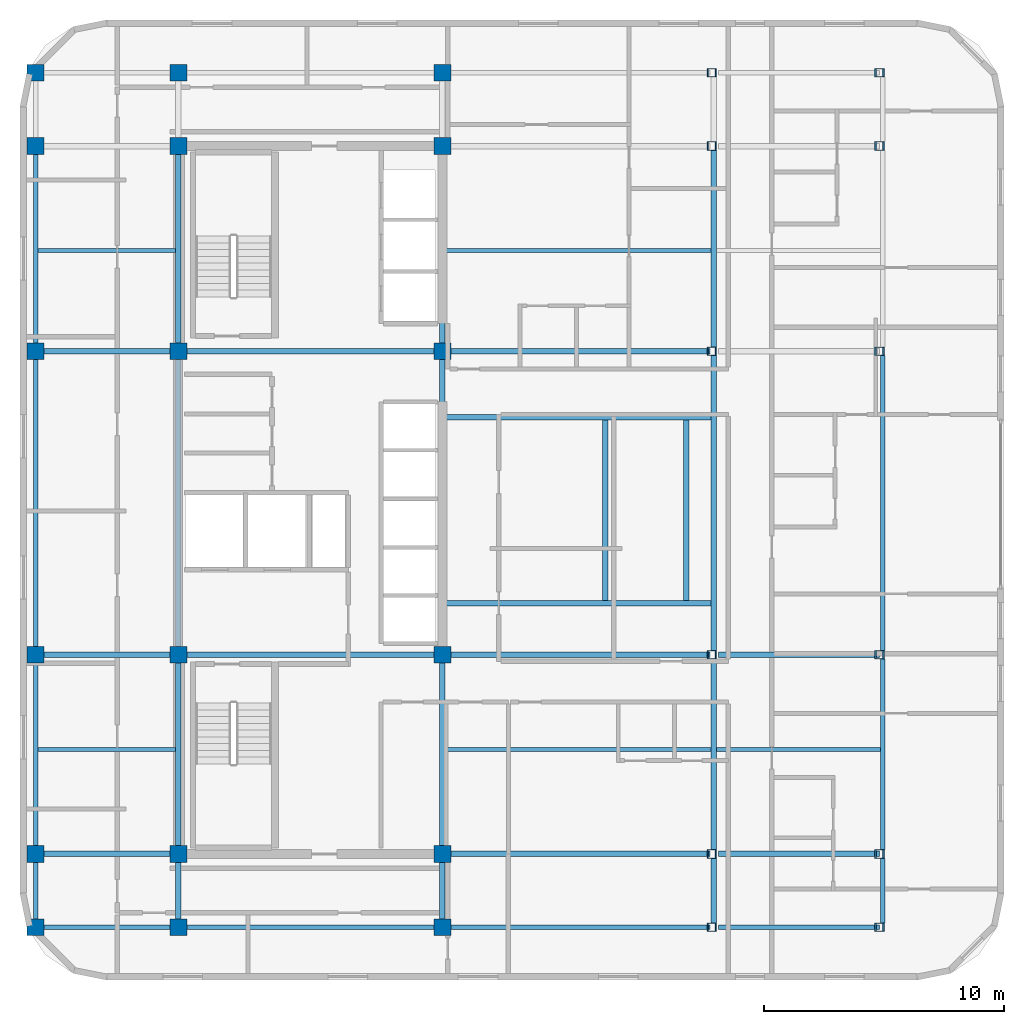
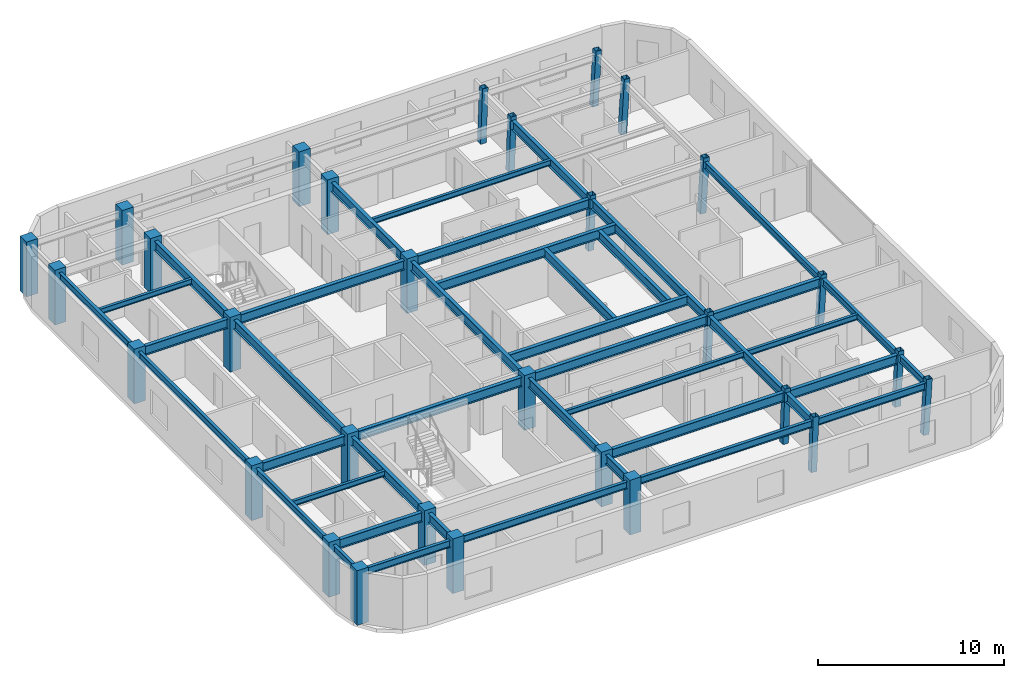
# One storey, part 1 of 9: 42 beams, 30 columns.
"""IFC4 building model written with IfcOpenShell, lengths in metres."""

from ifc_helpers import new_model, si_unit, direction, frame, origin, origin_2d, place, context, subcontext, project, spatial, rectangle, hollow_rectangle, i_section, extrude, material, material_profile, profile_set, type_object, element, save


model = new_model("IFC4")

# Units and contexts
model_context = context("Model", 3, precision=1e-05, world=origin(), true_north=direction((0.0, 1.0)))
body_context = subcontext(model_context, "Body", "Model", "MODEL_VIEW")
ifc_project = project(units=[si_unit("LENGTHUNIT", "METRE"), si_unit("AREAUNIT", "SQUARE_METRE"), si_unit("VOLUMEUNIT", "CUBIC_METRE"), si_unit("PLANEANGLEUNIT", "RADIAN"), si_unit("MASSUNIT", "GRAM", prefix="KILO")], contexts=[model_context])

# Site, building, storey
site_placement = place(None, origin())
site = spatial("IfcSite", under=ifc_project, at=site_placement, CompositionType="ELEMENT")
building_placement = place(site_placement, origin())
building = spatial("IfcBuilding", under=site, at=building_placement, Name="Ochreholt Gables", CompositionType="ELEMENT")
storey_placement = place(building_placement, frame((0.0, 0.0, 184.800048828125)))
storey = spatial("IfcBuildingStorey", under=building, at=storey_placement, Name="L48", CompositionType="ELEMENT", Elevation=184.800048828125)

# Columns
ifc_material_1 = material(Name="Steel CSA G40.21 350W", Category="steel")
ifc_material_profile_1 = material_profile(ifc_material_1, hollow_rectangle(XDim=0.35595703125, YDim=0.35595703125, WallThickness=0.01611328125, at=origin_2d()), Name="HSS356X356X16")
ifc_profile_set_1 = profile_set([ifc_material_profile_1], Name="Steel CSA G40.21 350W")
column_type_1 = type_object("IfcColumnType", Name="COL-HSS356-RAK", PredefinedType="COLUMN", material=ifc_profile_set_1)
for number, where, z_axis, x_axis, name in (
    (1, (46.404052734375, 9.25, 0.0), (0.034973505036, 0.0, 0.999388239847), (0.0, 1.0, 0.0), "L48 Column EMY2"),
    (2, (46.404052734375, 17.550048828125, 0.0), (0.034973505036, 0.0, 0.999388239847), (0.0, 1.0, 0.0), "L48 Column EMY3"),
    (3, (46.404052734375, 30.199951171875, 0.0), (0.034973505036, 0.0, 0.999388239847), (0.0, 1.0, 0.0), "L48 Column EMY4"),
    (4, (46.404052734375, 38.75, 0.0), (0.034973505036, 0.0, 0.999388239847), (0.0, 1.0, 0.0), "L48 Column EMY5"),
):
    element("IfcColumn", number, at=place(storey_placement, frame(where, z_axis=z_axis, x_axis=x_axis)), inside=storey, type_object=column_type_1, Name=name, PredefinedType="COLUMN", context=body_context, shape_type="SweptSolid", body=[
        extrude(hollow_rectangle(XDim=0.35595703125, YDim=0.35595703125, WallThickness=0.01611328125, at=origin_2d()), origin(), (0.0, 0.0, 1.0), 3.60205078125),
    ])
ifc_material_profile_2 = material_profile(ifc_material_1, hollow_rectangle(XDim=0.35595703125, YDim=0.35595703125, WallThickness=0.01611328125, at=origin_2d()), Name="HSS356X356X16")
ifc_profile_set_2 = profile_set([ifc_material_profile_2], Name="Steel CSA G40.21 350W")
column_type_2 = type_object("IfcColumnType", Name="COL-HSS356-RAKE", PredefinedType="COLUMN", material=ifc_profile_set_2)
for number, where, z_axis, x_axis, name in (
    (5, (46.404052734375, 6.199951171875, 0.0), (0.034973505036, 0.0, 0.999388239847), (0.0, 1.0, 0.0), "L48 Column EMY1"),
    (6, (46.404052734375, 41.800048828125, 0.0), (0.034973505036, 0.0, 0.999388239847), (0.0, 1.0, 0.0), "L48 Column EMY6"),
):
    element("IfcColumn", number, at=place(storey_placement, frame(where, z_axis=z_axis, x_axis=x_axis)), inside=storey, type_object=column_type_2, Name=name, PredefinedType="COLUMN", context=body_context, shape_type="SweptSolid", body=[
        extrude(hollow_rectangle(XDim=0.35595703125, YDim=0.35595703125, WallThickness=0.01611328125, at=origin_2d()), origin(), (0.0, 0.0, 1.0), 3.60205078125),
    ])
for number, where, z_axis, x_axis, name in (
    (7, (53.375244140625, 6.199951171875, 0.0), (0.057888518877, 0.0, 0.998323053617), (0.0, 1.0, 0.0), "L48 Column EEY1"),
    (8, (53.375244140625, 9.25, 0.0), (0.057888518877, 0.0, 0.998323053617), (0.0, 1.0, 0.0), "L48 Column EEY2"),
    (9, (53.375244140625, 17.550048828125, 0.0), (0.057888518877, 0.0, 0.998323053617), (0.0, 1.0, 0.0), "L48 Column EEY3"),
    (10, (53.375244140625, 30.199951171875, 0.0), (0.057888518877, 0.0, 0.998323053617), (0.0, 1.0, 0.0), "L48 Column EEY4"),
    (11, (53.375244140625, 38.75, 0.0), (0.057888518877, 0.0, 0.998323053617), (0.0, 1.0, 0.0), "L48 Column EEY5"),
    (12, (53.375244140625, 41.800048828125, 0.0), (0.057888518877, 0.0, 0.998323053617), (0.0, 1.0, 0.0), "L48 Column EEY6"),
):
    element("IfcColumn", number, at=place(storey_placement, frame(where, z_axis=z_axis, x_axis=x_axis)), inside=storey, type_object=column_type_2, Name=name, PredefinedType="COLUMN", context=body_context, shape_type="SweptSolid", body=[
        extrude(hollow_rectangle(XDim=0.35595703125, YDim=0.35595703125, WallThickness=0.01611328125, at=origin_2d()), origin(), (0.0, 0.0, 1.0), 3.60595703125),
    ])
ifc_material_2 = material(Name="Concrete 50 MPa", Category="concrete")
ifc_material_profile_3 = material_profile(ifc_material_2, rectangle(XDim=0.699951171875, YDim=0.699951171875, at=origin_2d()), Name="RC700X700")
ifc_profile_set_3 = profile_set([ifc_material_profile_3], Name="Concrete 50 MPa")
column_type_3 = type_object("IfcColumnType", Name="COL-RC700-EXT", PredefinedType="COLUMN", material=ifc_profile_set_3)
for number, where, z_axis, x_axis, name in (
    (13, (18.25, 6.199951171875, 0.0), (0.0, 0.0, 1.0), (1.0, 0.0, 0.0), "L48 Column W3Y1"),
    (14, (18.25, 9.25, 0.0), (0.0, 0.0, 1.0), (1.0, 0.0, 0.0), "L48 Column W3Y2"),
    (15, (18.25, 17.550048828125, 0.0), (0.0, 0.0, 1.0), (1.0, 0.0, 0.0), "L48 Column W3Y3"),
    (16, (18.25, 30.199951171875, 0.0), (0.0, 0.0, 1.0), (1.0, 0.0, 0.0), "L48 Column W3Y4"),
    (17, (18.25, 38.75, 0.0), (0.0, 0.0, 1.0), (1.0, 0.0, 0.0), "L48 Column W3Y5"),
    (18, (18.25, 41.800048828125, 0.0), (0.0, 0.0, 1.0), (1.0, 0.0, 0.0), "L48 Column W3Y6"),
    (19, (24.199951171875, 6.199951171875, 0.0), (0.0, 0.0, 1.0), (1.0, 0.0, 0.0), "L48 Column C1Y1"),
    (20, (24.199951171875, 41.800048828125, 0.0), (0.0, 0.0, 1.0), (1.0, 0.0, 0.0), "L48 Column C1Y6"),
    (21, (35.199951171875, 6.199951171875, 0.0), (0.0, 0.0, 1.0), (1.0, 0.0, 0.0), "L48 Column C2Y1"),
    (22, (35.199951171875, 41.800048828125, 0.0), (0.0, 0.0, 1.0), (1.0, 0.0, 0.0), "L48 Column C2Y6"),
):
    element("IfcColumn", number, at=place(storey_placement, frame(where, z_axis=z_axis, x_axis=x_axis)), inside=storey, type_object=column_type_3, Name=name, PredefinedType="COLUMN", context=body_context, shape_type="SweptSolid", body=[
        extrude(rectangle(XDim=0.699951171875, YDim=0.699951171875, at=origin_2d()), origin(), (0.0, 0.0, 1.0), 3.599853515625),
    ])
ifc_material_profile_4 = material_profile(ifc_material_2, rectangle(XDim=0.699951171875, YDim=0.699951171875, at=origin_2d()), Name="RC700X700")
ifc_profile_set_4 = profile_set([ifc_material_profile_4], Name="Concrete 50 MPa")
column_type_4 = type_object("IfcColumnType", Name="COL-RC700-INT", PredefinedType="COLUMN", material=ifc_profile_set_4)
for number, where, z_axis, x_axis, name in (
    (23, (24.199951171875, 9.25, 0.0), (0.0, 0.0, 1.0), (1.0, 0.0, 0.0), "L48 Column C1Y2"),
    (24, (24.199951171875, 17.550048828125, 0.0), (0.0, 0.0, 1.0), (1.0, 0.0, 0.0), "L48 Column C1Y3"),
    (25, (24.199951171875, 30.199951171875, 0.0), (0.0, 0.0, 1.0), (1.0, 0.0, 0.0), "L48 Column C1Y4"),
    (26, (24.199951171875, 38.75, 0.0), (0.0, 0.0, 1.0), (1.0, 0.0, 0.0), "L48 Column C1Y5"),
    (27, (35.199951171875, 9.25, 0.0), (0.0, 0.0, 1.0), (1.0, 0.0, 0.0), "L48 Column C2Y2"),
    (28, (35.199951171875, 17.550048828125, 0.0), (0.0, 0.0, 1.0), (1.0, 0.0, 0.0), "L48 Column C2Y3"),
    (29, (35.199951171875, 30.199951171875, 0.0), (0.0, 0.0, 1.0), (1.0, 0.0, 0.0), "L48 Column C2Y4"),
    (30, (35.199951171875, 38.75, 0.0), (0.0, 0.0, 1.0), (1.0, 0.0, 0.0), "L48 Column C2Y5"),
):
    element("IfcColumn", number, at=place(storey_placement, frame(where, z_axis=z_axis, x_axis=x_axis)), inside=storey, type_object=column_type_4, Name=name, PredefinedType="COLUMN", context=body_context, shape_type="SweptSolid", body=[
        extrude(rectangle(XDim=0.699951171875, YDim=0.699951171875, at=origin_2d()), origin(), (0.0, 0.0, 1.0), 3.599853515625),
    ])

# Beams
ifc_material_profile_5 = material_profile(ifc_material_1, i_section(OverallWidth=0.22900390625, OverallDepth=0.612060546875, WebThickness=0.011962890625, FlangeThickness=0.01953125, at=origin_2d()), Name="W610X125")
ifc_profile_set_5 = profile_set([ifc_material_profile_5], Name="Steel CSA G40.21 350W")
beam_type_1 = type_object("IfcBeamType", Name="BM-G-W610B", PredefinedType="BEAM", material=ifc_profile_set_5)
beam_1_placement = place(storey_placement, frame((18.599609375, 9.25, 3.053955078125), z_axis=(1.0, 0.0, 0.0), x_axis=(0.0, 1.0, 0.0)))
element("IfcBeam", 31, at=beam_1_placement, inside=storey, type_object=beam_type_1, Name="L48 Beam TBG-L48-W3C1-Y2", PredefinedType="BEAM", context=body_context, shape_type="SweptSolid", body=[
    extrude(i_section(OverallWidth=0.22900390625, OverallDepth=0.612060546875, WebThickness=0.011962890625, FlangeThickness=0.01953125, at=origin_2d()), origin(), (0.0, 0.0, 1.0), 5.250732421875),
])
beam_2_placement = place(storey_placement, frame((35.549560546875, 9.25, 3.053955078125), z_axis=(1.0, 0.0, 0.0), x_axis=(0.0, 1.0, 0.0)))
element("IfcBeam", 32, at=beam_2_placement, inside=storey, type_object=beam_type_1, Name="L48 Beam TBG-L48-C2EM-Y2", PredefinedType="BEAM", context=body_context, shape_type="SweptSolid", body=[
    extrude(i_section(OverallWidth=0.22900390625, OverallDepth=0.612060546875, WebThickness=0.011962890625, FlangeThickness=0.01953125, at=origin_2d()), origin(), (0.0, 0.0, 1.0), 10.802734375),
])
beam_3_placement = place(storey_placement, frame((46.70751953125, 9.25, 3.053955078125), z_axis=(1.0, 0.0, 0.0), x_axis=(0.0, 1.0, 0.0)))
element("IfcBeam", 33, at=beam_3_placement, inside=storey, type_object=beam_type_1, Name="L48 Beam TBG-L48-EMEE-Y2", PredefinedType="BEAM", context=body_context, shape_type="SweptSolid", body=[
    extrude(i_section(OverallWidth=0.22900390625, OverallDepth=0.612060546875, WebThickness=0.011962890625, FlangeThickness=0.01953125, at=origin_2d()), origin(), (0.0, 0.0, 1.0), 6.698974609375),
])
beam_4_placement = place(storey_placement, frame((18.599609375, 17.550048828125, 3.053955078125), z_axis=(1.0, 0.0, 0.0), x_axis=(0.0, 1.0, 0.0)))
element("IfcBeam", 34, at=beam_4_placement, inside=storey, type_object=beam_type_1, Name="L48 Beam TBG-L48-W3C1-Y3", PredefinedType="BEAM", context=body_context, shape_type="SweptSolid", body=[
    extrude(i_section(OverallWidth=0.22900390625, OverallDepth=0.612060546875, WebThickness=0.011962890625, FlangeThickness=0.01953125, at=origin_2d()), origin(), (0.0, 0.0, 1.0), 5.250732421875),
])
beam_5_placement = place(storey_placement, frame((24.549560546875, 17.550048828125, 3.053955078125), z_axis=(1.0, 0.0, 0.0), x_axis=(0.0, 1.0, 0.0)))
element("IfcBeam", 35, at=beam_5_placement, inside=storey, type_object=beam_type_1, Name="L48 Beam TBG-L48-C1C2-Y3", PredefinedType="BEAM", context=body_context, shape_type="SweptSolid", body=[
    extrude(i_section(OverallWidth=0.22900390625, OverallDepth=0.612060546875, WebThickness=0.011962890625, FlangeThickness=0.01953125, at=origin_2d()), origin(), (0.0, 0.0, 1.0), 10.30078125),
])
beam_6_placement = place(storey_placement, frame((35.549560546875, 17.550048828125, 3.053955078125), z_axis=(1.0, 0.0, 0.0), x_axis=(0.0, 1.0, 0.0)))
element("IfcBeam", 36, at=beam_6_placement, inside=storey, type_object=beam_type_1, Name="L48 Beam TBG-L48-C2EM-Y3", PredefinedType="BEAM", context=body_context, shape_type="SweptSolid", body=[
    extrude(i_section(OverallWidth=0.22900390625, OverallDepth=0.612060546875, WebThickness=0.011962890625, FlangeThickness=0.01953125, at=origin_2d()), origin(), (0.0, 0.0, 1.0), 10.802734375),
])
beam_7_placement = place(storey_placement, frame((46.70751953125, 17.550048828125, 3.053955078125), z_axis=(1.0, 0.0, 0.0), x_axis=(0.0, 1.0, 0.0)))
element("IfcBeam", 37, at=beam_7_placement, inside=storey, type_object=beam_type_1, Name="L48 Beam TBG-L48-EMEE-Y3", PredefinedType="BEAM", context=body_context, shape_type="SweptSolid", body=[
    extrude(i_section(OverallWidth=0.22900390625, OverallDepth=0.612060546875, WebThickness=0.011962890625, FlangeThickness=0.01953125, at=origin_2d()), origin(), (0.0, 0.0, 1.0), 6.698974609375),
])
beam_8_placement = place(storey_placement, frame((18.599609375, 30.199951171875, 3.053955078125), z_axis=(1.0, 0.0, 0.0), x_axis=(0.0, 1.0, 0.0)))
element("IfcBeam", 38, at=beam_8_placement, inside=storey, type_object=beam_type_1, Name="L48 Beam TBG-L48-W3C1-Y4", PredefinedType="BEAM", context=body_context, shape_type="SweptSolid", body=[
    extrude(i_section(OverallWidth=0.22900390625, OverallDepth=0.612060546875, WebThickness=0.011962890625, FlangeThickness=0.01953125, at=origin_2d()), origin(), (0.0, 0.0, 1.0), 5.250732421875),
])
beam_9_placement = place(storey_placement, frame((24.549560546875, 30.199951171875, 3.053955078125), z_axis=(1.0, 0.0, 0.0), x_axis=(0.0, 1.0, 0.0)))
element("IfcBeam", 39, at=beam_9_placement, inside=storey, type_object=beam_type_1, Name="L48 Beam TBG-L48-C1C2-Y4", PredefinedType="BEAM", context=body_context, shape_type="SweptSolid", body=[
    extrude(i_section(OverallWidth=0.22900390625, OverallDepth=0.612060546875, WebThickness=0.011962890625, FlangeThickness=0.01953125, at=origin_2d()), origin(), (0.0, 0.0, 1.0), 10.30078125),
])
beam_10_placement = place(storey_placement, frame((35.549560546875, 30.199951171875, 3.053955078125), z_axis=(1.0, 0.0, 0.0), x_axis=(0.0, 1.0, 0.0)))
element("IfcBeam", 40, at=beam_10_placement, inside=storey, type_object=beam_type_1, Name="L48 Beam TBG-L48-C2EM-Y4", PredefinedType="BEAM", context=body_context, shape_type="SweptSolid", body=[
    extrude(i_section(OverallWidth=0.22900390625, OverallDepth=0.612060546875, WebThickness=0.011962890625, FlangeThickness=0.01953125, at=origin_2d()), origin(), (0.0, 0.0, 1.0), 10.802734375),
])
beam_11_placement = place(storey_placement, frame((24.199951171875, 6.549560546875, 3.053955078125), z_axis=(0.0, 1.0, 0.0), x_axis=(-1.0, 0.0, 0.0)))
element("IfcBeam", 41, at=beam_11_placement, inside=storey, type_object=beam_type_1, Name="L48 Beam TBN-L48-C1-Y1Y2", PredefinedType="BEAM", context=body_context, shape_type="SweptSolid", body=[
    extrude(i_section(OverallWidth=0.22900390625, OverallDepth=0.612060546875, WebThickness=0.011962890625, FlangeThickness=0.01953125, at=origin_2d()), origin(), (0.0, 0.0, 1.0), 2.350830078125),
])
beam_12_placement = place(storey_placement, frame((24.199951171875, 9.599609375, 3.053955078125), z_axis=(0.0, 1.0, 0.0), x_axis=(-1.0, 0.0, 0.0)))
element("IfcBeam", 42, at=beam_12_placement, inside=storey, type_object=beam_type_1, Name="L48 Beam TBN-L48-C1-Y2Y3", PredefinedType="BEAM", context=body_context, shape_type="SweptSolid", body=[
    extrude(i_section(OverallWidth=0.22900390625, OverallDepth=0.612060546875, WebThickness=0.011962890625, FlangeThickness=0.01953125, at=origin_2d()), origin(), (0.0, 0.0, 1.0), 7.600830078125),
])
beam_13_placement = place(storey_placement, frame((24.199951171875, 17.899658203125, 3.053955078125), z_axis=(0.0, 1.0, 0.0), x_axis=(-1.0, 0.0, 0.0)))
element("IfcBeam", 43, at=beam_13_placement, inside=storey, type_object=beam_type_1, Name="L48 Beam TBN-L48-C1-Y3Y4", PredefinedType="BEAM", context=body_context, shape_type="SweptSolid", body=[
    extrude(i_section(OverallWidth=0.22900390625, OverallDepth=0.612060546875, WebThickness=0.011962890625, FlangeThickness=0.01953125, at=origin_2d()), origin(), (0.0, 0.0, 1.0), 11.95068359375),
])
beam_14_placement = place(storey_placement, frame((24.199951171875, 30.549560546875, 3.053955078125), z_axis=(0.0, 1.0, 0.0), x_axis=(-1.0, 0.0, 0.0)))
element("IfcBeam", 44, at=beam_14_placement, inside=storey, type_object=beam_type_1, Name="L48 Beam TBN-L48-C1-Y4Y5", PredefinedType="BEAM", context=body_context, shape_type="SweptSolid", body=[
    extrude(i_section(OverallWidth=0.22900390625, OverallDepth=0.612060546875, WebThickness=0.011962890625, FlangeThickness=0.01953125, at=origin_2d()), origin(), (0.0, 0.0, 1.0), 7.850830078125),
])
beam_15_placement = place(storey_placement, frame((35.199951171875, 6.549560546875, 3.053955078125), z_axis=(0.0, 1.0, 0.0), x_axis=(-1.0, 0.0, 0.0)))
element("IfcBeam", 45, at=beam_15_placement, inside=storey, type_object=beam_type_1, Name="L48 Beam TBN-L48-C2-Y1Y2", PredefinedType="BEAM", context=body_context, shape_type="SweptSolid", body=[
    extrude(i_section(OverallWidth=0.22900390625, OverallDepth=0.612060546875, WebThickness=0.011962890625, FlangeThickness=0.01953125, at=origin_2d()), origin(), (0.0, 0.0, 1.0), 2.350830078125),
])
beam_16_placement = place(storey_placement, frame((35.199951171875, 9.599609375, 3.053955078125), z_axis=(0.0, 1.0, 0.0), x_axis=(-1.0, 0.0, 0.0)))
element("IfcBeam", 46, at=beam_16_placement, inside=storey, type_object=beam_type_1, Name="L48 Beam TBN-L48-C2-Y2Y3", PredefinedType="BEAM", context=body_context, shape_type="SweptSolid", body=[
    extrude(i_section(OverallWidth=0.22900390625, OverallDepth=0.612060546875, WebThickness=0.011962890625, FlangeThickness=0.01953125, at=origin_2d()), origin(), (0.0, 0.0, 1.0), 7.600830078125),
])
beam_17_placement = place(storey_placement, frame((35.199951171875, 17.899658203125, 3.053955078125), z_axis=(0.0, 1.0, 0.0), x_axis=(-1.0, 0.0, 0.0)))
element("IfcBeam", 47, at=beam_17_placement, inside=storey, type_object=beam_type_1, Name="L48 Beam TBN-L48-C2-Y3Y4", PredefinedType="BEAM", context=body_context, shape_type="SweptSolid", body=[
    extrude(i_section(OverallWidth=0.22900390625, OverallDepth=0.612060546875, WebThickness=0.011962890625, FlangeThickness=0.01953125, at=origin_2d()), origin(), (0.0, 0.0, 1.0), 11.95068359375),
])
beam_18_placement = place(storey_placement, frame((35.199951171875, 30.549560546875, 3.053955078125), z_axis=(0.0, 1.0, 0.0), x_axis=(-1.0, 0.0, 0.0)))
element("IfcBeam", 48, at=beam_18_placement, inside=storey, type_object=beam_type_1, Name="L48 Beam TBN-L48-C2-Y4Y5", PredefinedType="BEAM", context=body_context, shape_type="SweptSolid", body=[
    extrude(i_section(OverallWidth=0.22900390625, OverallDepth=0.612060546875, WebThickness=0.011962890625, FlangeThickness=0.01953125, at=origin_2d()), origin(), (0.0, 0.0, 1.0), 7.850830078125),
])
beam_19_placement = place(storey_placement, frame((46.512939453125, 6.377685546875, 3.053955078125), z_axis=(0.0, 1.0, 0.0), x_axis=(-1.0, 0.0, 0.0)))
element("IfcBeam", 49, at=beam_19_placement, inside=storey, type_object=beam_type_1, Name="L48 Beam TBN-L48-EM-Y1Y2", PredefinedType="BEAM", context=body_context, shape_type="SweptSolid", body=[
    extrude(i_section(OverallWidth=0.22900390625, OverallDepth=0.612060546875, WebThickness=0.011962890625, FlangeThickness=0.01953125, at=origin_2d()), origin(), (0.0, 0.0, 1.0), 2.69482421875),
])
beam_20_placement = place(storey_placement, frame((46.512939453125, 9.427490234375, 3.053955078125), z_axis=(0.0, 1.0, 0.0), x_axis=(-1.0, 0.0, 0.0)))
element("IfcBeam", 50, at=beam_20_placement, inside=storey, type_object=beam_type_1, Name="L48 Beam TBN-L48-EM-Y2Y3", PredefinedType="BEAM", context=body_context, shape_type="SweptSolid", body=[
    extrude(i_section(OverallWidth=0.22900390625, OverallDepth=0.612060546875, WebThickness=0.011962890625, FlangeThickness=0.01953125, at=origin_2d()), origin(), (0.0, 0.0, 1.0), 7.94482421875),
])
beam_21_placement = place(storey_placement, frame((46.512939453125, 17.7275390625, 3.053955078125), z_axis=(0.0, 1.0, 0.0), x_axis=(-1.0, 0.0, 0.0)))
element("IfcBeam", 51, at=beam_21_placement, inside=storey, type_object=beam_type_1, Name="L48 Beam TBN-L48-EM-Y3Y4", PredefinedType="BEAM", context=body_context, shape_type="SweptSolid", body=[
    extrude(i_section(OverallWidth=0.22900390625, OverallDepth=0.612060546875, WebThickness=0.011962890625, FlangeThickness=0.01953125, at=origin_2d()), origin(), (0.0, 0.0, 1.0), 12.294921875),
])
beam_22_placement = place(storey_placement, frame((46.512939453125, 30.377685546875, 3.053955078125), z_axis=(0.0, 1.0, 0.0), x_axis=(-1.0, 0.0, 0.0)))
element("IfcBeam", 52, at=beam_22_placement, inside=storey, type_object=beam_type_1, Name="L48 Beam TBN-L48-EM-Y4Y5", PredefinedType="BEAM", context=body_context, shape_type="SweptSolid", body=[
    extrude(i_section(OverallWidth=0.22900390625, OverallDepth=0.612060546875, WebThickness=0.011962890625, FlangeThickness=0.01953125, at=origin_2d()), origin(), (0.0, 0.0, 1.0), 8.19482421875),
])
for number, where, z_axis, x_axis, name in (
    (53, (35.314208984375, 19.68994140625, 3.053955078125), (1.0, 0.0, 0.0), (0.0, 1.0, 0.0), "L48 Beam TBH-L48-ST-C5-FSTLS"),
    (54, (35.314208984375, 27.449951171875, 3.053955078125), (1.0, 0.0, 0.0), (0.0, 1.0, 0.0), "L48 Beam TBH-L48-ST-C5-FSTLN"),
):
    element("IfcBeam", number, at=place(storey_placement, frame(where, z_axis=z_axis, x_axis=x_axis)), inside=storey, type_object=beam_type_1, Name=name, PredefinedType="BEAM", context=body_context, shape_type="SweptSolid", body=[
        extrude(i_section(OverallWidth=0.22900390625, OverallDepth=0.612060546875, WebThickness=0.011962890625, FlangeThickness=0.01953125, at=origin_2d()), origin(), (0.0, 0.0, 1.0), 11.08447265625),
    ])
for number, where, z_axis, x_axis, name in (
    (55, (41.989990234375, 19.80419921875, 3.053955078125), (0.0, 1.0, 0.0), (-1.0, 0.0, 0.0), "L48 Beam TBT-L48-ST-C5-FSTLW"),
    (56, (45.3701171875, 19.80419921875, 3.053955078125), (0.0, 1.0, 0.0), (-1.0, 0.0, 0.0), "L48 Beam TBT-L48-ST-C5-FSTLE"),
):
    element("IfcBeam", number, at=place(storey_placement, frame(where, z_axis=z_axis, x_axis=x_axis)), inside=storey, type_object=beam_type_1, Name=name, PredefinedType="BEAM", context=body_context, shape_type="SweptSolid", body=[
        extrude(i_section(OverallWidth=0.22900390625, OverallDepth=0.612060546875, WebThickness=0.011962890625, FlangeThickness=0.01953125, at=origin_2d()), origin(), (0.0, 0.0, 1.0), 7.53173828125),
    ])
ifc_material_profile_6 = material_profile(ifc_material_1, i_section(OverallWidth=0.172119140625, OverallDepth=0.35791015625, WebThickness=0.0078125, FlangeThickness=0.01318359375, at=origin_2d()), Name="W360X57")
ifc_profile_set_6 = profile_set([ifc_material_profile_6], Name="Steel CSA G40.21 350W")
beam_type_2 = type_object("IfcBeamType", Name="BM-J-W360B", PredefinedType="JOIST", material=ifc_profile_set_6)
beam_23_placement = place(storey_placement, frame((18.345703125, 13.60009765625, 3.180908203125), z_axis=(1.0, 0.0, 0.0), x_axis=(0.0, 1.0, 0.0)))
element("IfcBeam", 57, at=beam_23_placement, inside=storey, type_object=beam_type_2, Name="L48 Beam TBJ-L48-J1-W3C1", PredefinedType="JOIST", context=body_context, shape_type="SweptSolid", body=[
    extrude(i_section(OverallWidth=0.172119140625, OverallDepth=0.35791015625, WebThickness=0.0078125, FlangeThickness=0.01318359375, at=origin_2d()), origin(), (0.0, 0.0, 1.0), 5.740234375),
])
beam_24_placement = place(storey_placement, frame((35.314208984375, 13.60009765625, 3.180908203125), z_axis=(1.0, 0.0, 0.0), x_axis=(0.0, 1.0, 0.0)))
element("IfcBeam", 58, at=beam_24_placement, inside=storey, type_object=beam_type_2, Name="L48 Beam TBJ-L48-J1-C2EM", PredefinedType="JOIST", context=body_context, shape_type="SweptSolid", body=[
    extrude(i_section(OverallWidth=0.172119140625, OverallDepth=0.35791015625, WebThickness=0.0078125, FlangeThickness=0.01318359375, at=origin_2d()), origin(), (0.0, 0.0, 1.0), 11.08447265625),
])
beam_25_placement = place(storey_placement, frame((46.626953125, 13.60009765625, 3.180908203125), z_axis=(1.0, 0.0, 0.0), x_axis=(0.0, 1.0, 0.0)))
element("IfcBeam", 59, at=beam_25_placement, inside=storey, type_object=beam_type_2, Name="L48 Beam TBJ-L48-J1-EMEE", PredefinedType="JOIST", context=body_context, shape_type="SweptSolid", body=[
    extrude(i_section(OverallWidth=0.172119140625, OverallDepth=0.35791015625, WebThickness=0.0078125, FlangeThickness=0.01318359375, at=origin_2d()), origin(), (0.0, 0.0, 1.0), 6.8330078125),
])
beam_26_placement = place(storey_placement, frame((18.345703125, 34.39990234375, 3.180908203125), z_axis=(1.0, 0.0, 0.0), x_axis=(0.0, 1.0, 0.0)))
element("IfcBeam", 60, at=beam_26_placement, inside=storey, type_object=beam_type_2, Name="L48 Beam TBJ-L48-J2-W3C1", PredefinedType="JOIST", context=body_context, shape_type="SweptSolid", body=[
    extrude(i_section(OverallWidth=0.172119140625, OverallDepth=0.35791015625, WebThickness=0.0078125, FlangeThickness=0.01318359375, at=origin_2d()), origin(), (0.0, 0.0, 1.0), 5.740234375),
])
beam_27_placement = place(storey_placement, frame((35.314208984375, 34.39990234375, 3.180908203125), z_axis=(1.0, 0.0, 0.0), x_axis=(0.0, 1.0, 0.0)))
element("IfcBeam", 61, at=beam_27_placement, inside=storey, type_object=beam_type_2, Name="L48 Beam TBJ-L48-J2-C2EM", PredefinedType="JOIST", context=body_context, shape_type="SweptSolid", body=[
    extrude(i_section(OverallWidth=0.172119140625, OverallDepth=0.35791015625, WebThickness=0.0078125, FlangeThickness=0.01318359375, at=origin_2d()), origin(), (0.0, 0.0, 1.0), 11.08447265625),
])
ifc_material_profile_7 = material_profile(ifc_material_1, i_section(OverallWidth=0.19189453125, OverallDepth=0.462890625, WebThickness=0.010498046875, FlangeThickness=0.017578125, at=origin_2d()), Name="W460X89")
ifc_profile_set_7 = profile_set([ifc_material_profile_7], Name="Steel CSA G40.21 350W")
beam_type_3 = type_object("IfcBeamType", Name="BM-SP-W460A", PredefinedType="SPANDREL", material=ifc_profile_set_7)
beam_28_placement = place(storey_placement, frame((18.599609375, 6.199951171875, 3.12841796875), z_axis=(1.0, 0.0, 0.0), x_axis=(0.0, 1.0, 0.0)))
element("IfcBeam", 62, at=beam_28_placement, inside=storey, type_object=beam_type_3, Name="L48 Beam TBG-L48-W3C1-Y1", PredefinedType="SPANDREL", context=body_context, shape_type="SweptSolid", body=[
    extrude(i_section(OverallWidth=0.19189453125, OverallDepth=0.462890625, WebThickness=0.010498046875, FlangeThickness=0.017578125, at=origin_2d()), origin(), (0.0, 0.0, 1.0), 5.250732421875),
])
beam_29_placement = place(storey_placement, frame((24.549560546875, 6.199951171875, 3.12841796875), z_axis=(1.0, 0.0, 0.0), x_axis=(0.0, 1.0, 0.0)))
element("IfcBeam", 63, at=beam_29_placement, inside=storey, type_object=beam_type_3, Name="L48 Beam TBG-L48-C1C2-Y1", PredefinedType="SPANDREL", context=body_context, shape_type="SweptSolid", body=[
    extrude(i_section(OverallWidth=0.19189453125, OverallDepth=0.462890625, WebThickness=0.010498046875, FlangeThickness=0.017578125, at=origin_2d()), origin(), (0.0, 0.0, 1.0), 10.30078125),
])
beam_30_placement = place(storey_placement, frame((35.549560546875, 6.199951171875, 3.12841796875), z_axis=(1.0, 0.0, 0.0), x_axis=(0.0, 1.0, 0.0)))
element("IfcBeam", 64, at=beam_30_placement, inside=storey, type_object=beam_type_3, Name="L48 Beam TBG-L48-C2EM-Y1", PredefinedType="SPANDREL", context=body_context, shape_type="SweptSolid", body=[
    extrude(i_section(OverallWidth=0.19189453125, OverallDepth=0.462890625, WebThickness=0.010498046875, FlangeThickness=0.017578125, at=origin_2d()), origin(), (0.0, 0.0, 1.0), 10.802734375),
])
beam_31_placement = place(storey_placement, frame((46.70751953125, 6.199951171875, 3.12841796875), z_axis=(1.0, 0.0, 0.0), x_axis=(0.0, 1.0, 0.0)))
element("IfcBeam", 65, at=beam_31_placement, inside=storey, type_object=beam_type_3, Name="L48 Beam TBG-L48-EMEE-Y1", PredefinedType="SPANDREL", context=body_context, shape_type="SweptSolid", body=[
    extrude(i_section(OverallWidth=0.19189453125, OverallDepth=0.462890625, WebThickness=0.010498046875, FlangeThickness=0.017578125, at=origin_2d()), origin(), (0.0, 0.0, 1.0), 6.698974609375),
])
beam_32_placement = place(storey_placement, frame((18.25, 6.549560546875, 3.12841796875), z_axis=(0.0, 1.0, 0.0), x_axis=(-1.0, 0.0, 0.0)))
element("IfcBeam", 66, at=beam_32_placement, inside=storey, type_object=beam_type_3, Name="L48 Beam TBN-L48-W3-Y1Y2", PredefinedType="SPANDREL", context=body_context, shape_type="SweptSolid", body=[
    extrude(i_section(OverallWidth=0.19189453125, OverallDepth=0.462890625, WebThickness=0.010498046875, FlangeThickness=0.017578125, at=origin_2d()), origin(), (0.0, 0.0, 1.0), 2.350830078125),
])
beam_33_placement = place(storey_placement, frame((18.25, 9.599609375, 3.12841796875), z_axis=(0.0, 1.0, 0.0), x_axis=(-1.0, 0.0, 0.0)))
element("IfcBeam", 67, at=beam_33_placement, inside=storey, type_object=beam_type_3, Name="L48 Beam TBN-L48-W3-Y2Y3", PredefinedType="SPANDREL", context=body_context, shape_type="SweptSolid", body=[
    extrude(i_section(OverallWidth=0.19189453125, OverallDepth=0.462890625, WebThickness=0.010498046875, FlangeThickness=0.017578125, at=origin_2d()), origin(), (0.0, 0.0, 1.0), 7.600830078125),
])
beam_34_placement = place(storey_placement, frame((18.25, 17.899658203125, 3.12841796875), z_axis=(0.0, 1.0, 0.0), x_axis=(-1.0, 0.0, 0.0)))
element("IfcBeam", 68, at=beam_34_placement, inside=storey, type_object=beam_type_3, Name="L48 Beam TBN-L48-W3-Y3Y4", PredefinedType="SPANDREL", context=body_context, shape_type="SweptSolid", body=[
    extrude(i_section(OverallWidth=0.19189453125, OverallDepth=0.462890625, WebThickness=0.010498046875, FlangeThickness=0.017578125, at=origin_2d()), origin(), (0.0, 0.0, 1.0), 11.95068359375),
])
beam_35_placement = place(storey_placement, frame((18.25, 30.549560546875, 3.12841796875), z_axis=(0.0, 1.0, 0.0), x_axis=(-1.0, 0.0, 0.0)))
element("IfcBeam", 69, at=beam_35_placement, inside=storey, type_object=beam_type_3, Name="L48 Beam TBN-L48-W3-Y4Y5", PredefinedType="SPANDREL", context=body_context, shape_type="SweptSolid", body=[
    extrude(i_section(OverallWidth=0.19189453125, OverallDepth=0.462890625, WebThickness=0.010498046875, FlangeThickness=0.017578125, at=origin_2d()), origin(), (0.0, 0.0, 1.0), 7.850830078125),
])
beam_36_placement = place(storey_placement, frame((53.5556640625, 6.377685546875, 3.12841796875), z_axis=(0.0, 1.0, 0.0), x_axis=(-1.0, 0.0, 0.0)))
element("IfcBeam", 70, at=beam_36_placement, inside=storey, type_object=beam_type_3, Name="L48 Beam TBN-L48-EE-Y1Y2", PredefinedType="SPANDREL", context=body_context, shape_type="SweptSolid", body=[
    extrude(i_section(OverallWidth=0.19189453125, OverallDepth=0.462890625, WebThickness=0.010498046875, FlangeThickness=0.017578125, at=origin_2d()), origin(), (0.0, 0.0, 1.0), 2.69482421875),
])
beam_37_placement = place(storey_placement, frame((53.5556640625, 9.427490234375, 3.12841796875), z_axis=(0.0, 1.0, 0.0), x_axis=(-1.0, 0.0, 0.0)))
element("IfcBeam", 71, at=beam_37_placement, inside=storey, type_object=beam_type_3, Name="L48 Beam TBN-L48-EE-Y2Y3", PredefinedType="SPANDREL", context=body_context, shape_type="SweptSolid", body=[
    extrude(i_section(OverallWidth=0.19189453125, OverallDepth=0.462890625, WebThickness=0.010498046875, FlangeThickness=0.017578125, at=origin_2d()), origin(), (0.0, 0.0, 1.0), 7.94482421875),
])
beam_38_placement = place(storey_placement, frame((53.5556640625, 17.7275390625, 3.12841796875), z_axis=(0.0, 1.0, 0.0), x_axis=(-1.0, 0.0, 0.0)))
element("IfcBeam", 72, at=beam_38_placement, inside=storey, type_object=beam_type_3, Name="L48 Beam TBN-L48-EE-Y3Y4", PredefinedType="SPANDREL", context=body_context, shape_type="SweptSolid", body=[
    extrude(i_section(OverallWidth=0.19189453125, OverallDepth=0.462890625, WebThickness=0.010498046875, FlangeThickness=0.017578125, at=origin_2d()), origin(), (0.0, 0.0, 1.0), 12.294921875),
])

save(model, "model.ifc")
